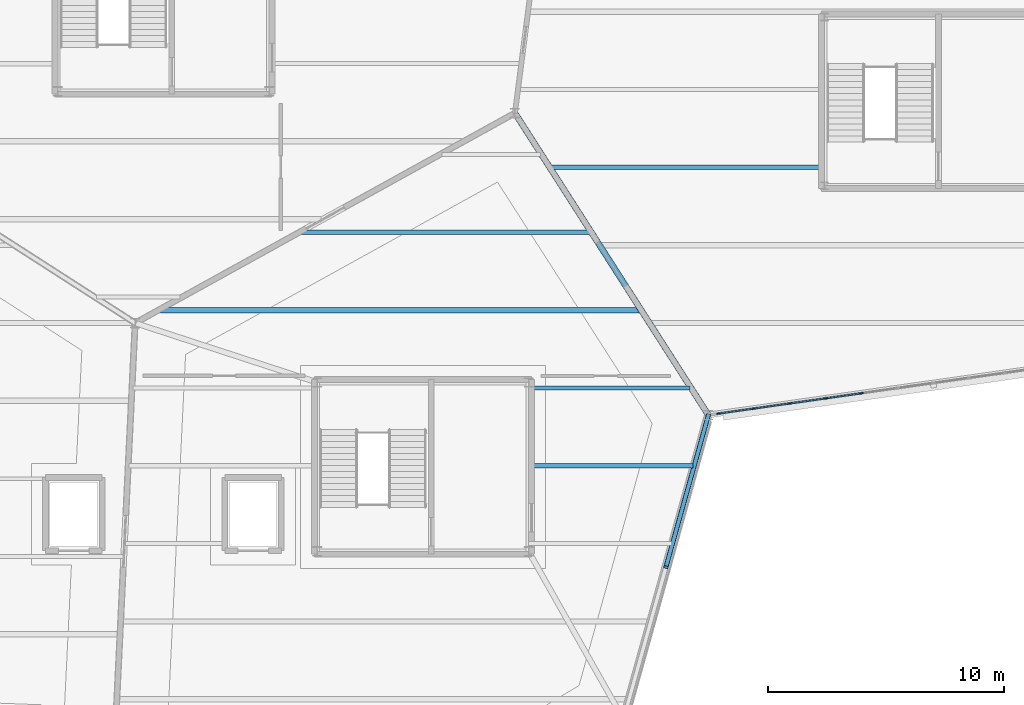
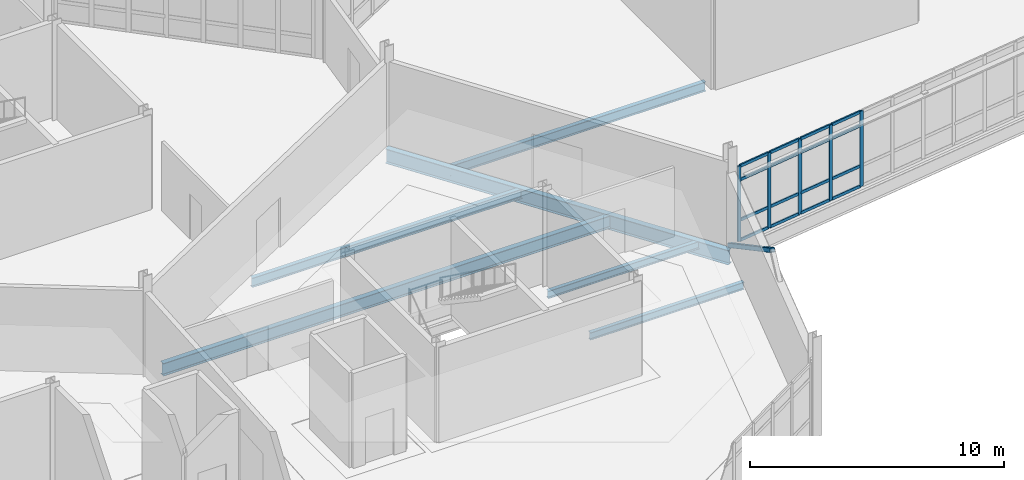
# One storey, part 76 of 134: 22 members, 6 beams, 1 element without a shape of its own.
"""IFC4 building model written with IfcOpenShell, lengths in metres."""

from ifc_helpers import new_model, si_unit, direction, frame, origin, origin_2d, place, context, subcontext, project, spatial, rectangle, hollow_rectangle, i_section, extrude, material, material_profile, profile_set, type_object, element, aggregate, save


model = new_model("IFC4")

# Units and contexts
model_context = context("Model", 3, precision=1e-05, world=origin(), true_north=direction((0.0, 1.0)))
body_context = subcontext(model_context, "Body", "Model", "MODEL_VIEW")
ifc_project = project(units=[si_unit("LENGTHUNIT", "METRE"), si_unit("AREAUNIT", "SQUARE_METRE"), si_unit("VOLUMEUNIT", "CUBIC_METRE"), si_unit("PLANEANGLEUNIT", "RADIAN"), si_unit("MASSUNIT", "GRAM", prefix="KILO")], contexts=[model_context])

# Site, building, storey
site_placement = place(None, origin())
site = spatial("IfcSite", under=ifc_project, at=site_placement, CompositionType="ELEMENT")
building_placement = place(site_placement, origin())
building = spatial("IfcBuilding", under=site, at=building_placement, Name="Tameran Prism Museum", CompositionType="ELEMENT")
storey_placement = place(building_placement, frame((0.0, 0.0, 5.39990234375)))
storey = spatial("IfcBuildingStorey", under=building, at=storey_placement, Name="L01", CompositionType="ELEMENT", Elevation=5.39990234375)

# Beams
ifc_material_1 = material(Name="Steel Grade 300PLUS (300 MPa)", Category="steel")
ifc_material_profile_1 = material_profile(ifc_material_1, i_section(OverallWidth=0.172119140625, OverallDepth=0.35888671875, WebThickness=0.008056640625, FlangeThickness=0.012939453125, FilletRadius=0.011474609375, at=origin_2d()))
ifc_profile_set_1 = profile_set([ifc_material_profile_1])
beam_type_1 = type_object("IfcBeamType", Name="BM-J360A", PredefinedType="JOIST", material=ifc_profile_set_1)
beam_1_placement = place(storey_placement, frame((135.47998046875, 86.35009765625, -0.37939453125), z_axis=(1.0, 0.0, 0.0), x_axis=(0.0, 1.0, 0.0)))
element("IfcBeam", 1, at=beam_1_placement, inside=storey, type_object=beam_type_1, Name="Floor Beam BM-0517", PredefinedType="JOIST", context=body_context, shape_type="SweptSolid", body=[
    extrude(i_section(OverallWidth=0.172119140625, OverallDepth=0.35888671875, WebThickness=0.008056640625, FlangeThickness=0.012939453125, FilletRadius=0.011474609375, at=origin_2d()), origin(), (0.0, 0.0, 1.0), 6.8359375),
])
ifc_material_2 = material(Name="Steel Grade 300PLUS (300 MPa)", Category="steel")
ifc_material_profile_2 = material_profile(ifc_material_2, i_section(OverallWidth=0.1708984375, OverallDepth=0.35595703125, WebThickness=0.00732421875, FlangeThickness=0.011474609375, FilletRadius=0.011474609375, at=origin_2d()))
ifc_profile_set_2 = profile_set([ifc_material_profile_2])
beam_type_2 = type_object("IfcBeamType", Name="BM-J360B", PredefinedType="JOIST", material=ifc_profile_set_2)
beam_2_placement = place(storey_placement, frame((135.47998046875, 83.050048828125, -0.3779296875), z_axis=(1.0, 0.0, 0.0), x_axis=(0.0, 1.0, 0.0)))
element("IfcBeam", 2, at=beam_2_placement, inside=storey, type_object=beam_type_2, Name="Floor Beam BM-0515", PredefinedType="JOIST", context=body_context, shape_type="SweptSolid", body=[
    extrude(i_section(OverallWidth=0.1708984375, OverallDepth=0.35595703125, WebThickness=0.00732421875, FlangeThickness=0.011474609375, FilletRadius=0.011474609375, at=origin_2d()), origin(), (0.0, 0.0, 1.0), 6.97802734375),
])
ifc_material_3 = material(Name="Steel Grade 300PLUS (300 MPa)", Category="steel")
ifc_material_profile_3 = material_profile(ifc_material_3, i_section(OverallWidth=0.18994140625, OverallDepth=0.4541015625, WebThickness=0.008544921875, FlangeThickness=0.0126953125, FilletRadius=0.011474609375, at=origin_2d()))
ifc_profile_set_3 = profile_set([ifc_material_profile_3])
beam_type_3 = type_object("IfcBeamType", Name="BM-J460B", PredefinedType="JOIST", material=ifc_profile_set_3)
beam_3_placement = place(storey_placement, frame((125.846923828125, 92.949951171875, -0.427001953125), z_axis=(1.0, 0.0, 0.0), x_axis=(0.0, 1.0, 0.0)))
element("IfcBeam", 3, at=beam_3_placement, inside=storey, type_object=beam_type_3, Name="Floor Beam BM-0519", PredefinedType="JOIST", context=body_context, shape_type="SweptSolid", body=[
    extrude(i_section(OverallWidth=0.18994140625, OverallDepth=0.4541015625, WebThickness=0.008544921875, FlangeThickness=0.0126953125, FilletRadius=0.011474609375, at=origin_2d()), origin(), (0.0, 0.0, 1.0), 12.240966796875),
])
beam_4_placement = place(storey_placement, frame((136.4208984375, 95.699951171875, -0.427001953125), z_axis=(1.0, 0.0, 0.0), x_axis=(0.0, 1.0, 0.0)))
element("IfcBeam", 4, at=beam_4_placement, inside=storey, type_object=beam_type_3, Name="Floor Beam BM-0532", PredefinedType="JOIST", context=body_context, shape_type="SweptSolid", body=[
    extrude(i_section(OverallWidth=0.18994140625, OverallDepth=0.4541015625, WebThickness=0.008544921875, FlangeThickness=0.0126953125, FilletRadius=0.011474609375, at=origin_2d()), origin(), (0.0, 0.0, 1.0), 11.59912109375),
])
ifc_material_4 = material(Name="Steel Grade 350 (350 MPa)", Category="steel")
ifc_material_profile_4 = material_profile(ifc_material_4, i_section(OverallWidth=0.25, OverallDepth=0.699951171875, WebThickness=0.010009765625, FlangeThickness=0.02001953125, at=origin_2d()))
ifc_profile_set_4 = profile_set([ifc_material_profile_4])
beam_type_4 = type_object("IfcBeamType", Name="BM-SP700", PredefinedType="SPANDREL", material=ifc_profile_set_4)
beam_5_placement = place(storey_placement, frame((143.10009765625, 85.199951171875, -0.5498046875), z_axis=(-0.539434641352, 0.842027474439, 0.0), x_axis=(-0.842027474439, -0.539434641352, 0.0)))
element("IfcBeam", 5, at=beam_5_placement, inside=storey, type_object=beam_type_4, Name="Perimeter Spandrel SP-0333", PredefinedType="SPANDREL", context=body_context, shape_type="SweptSolid", body=[
    extrude(i_section(OverallWidth=0.25, OverallDepth=0.699951171875, WebThickness=0.010009765625, FlangeThickness=0.02001953125, at=origin_2d()), origin(), (0.0, 0.0, 1.0), 15.201416015625),
])
ifc_material_5 = material(Name="Steel Grade 300PLUS (300 MPa)", Category="steel")
ifc_material_profile_5 = material_profile(ifc_material_5, i_section(OverallWidth=0.22802734375, OverallDepth=0.60693359375, WebThickness=0.01123046875, FlangeThickness=0.017333984375, FilletRadius=0.013916015625, at=origin_2d()))
ifc_profile_set_5 = profile_set([ifc_material_profile_5])
beam_type_5 = type_object("IfcBeamType", Name="BM-UB610B", PredefinedType="BEAM", material=ifc_profile_set_5)
beam_6_placement = place(storey_placement, frame((119.8779296875, 89.64990234375, -0.50341796875), z_axis=(1.0, 0.0, 0.0), x_axis=(0.0, 1.0, 0.0)))
element("IfcBeam", 6, at=beam_6_placement, inside=storey, type_object=beam_type_5, Name="Floor Beam BM-0518", PredefinedType="BEAM", context=body_context, shape_type="SweptSolid", body=[
    extrude(i_section(OverallWidth=0.22802734375, OverallDepth=0.60693359375, WebThickness=0.01123046875, FlangeThickness=0.017333984375, FilletRadius=0.013916015625, at=origin_2d()), origin(), (0.0, 0.0, 1.0), 20.323974609375),
])

# Curtain wall, members
ifc_material_6 = material(Name="Anodised Aluminium 6063-T6 and Cyclone Solar Glass", Category="aluminium")
curtain_wall_type = type_object("IfcCurtainWallType", Name="CW-FAC-1843x362", PredefinedType="USERDEFINED", material=ifc_material_6)
curtain_wall_placement = place(storey_placement, origin())
curtain_wall = element("IfcCurtainWall", 7, at=curtain_wall_placement, inside=storey, type_object=curtain_wall_type, Name="Unitised Curtain Wall CW-059", ObjectType="UNITISED CURTAIN WALL", PredefinedType="USERDEFINED")
ifc_material_7 = material(Name="Anodised Aluminium Alloy 6063-T6", Category="aluminium")
ifc_material_profile_6 = material_profile(ifc_material_7, rectangle(XDim=0.06494140625, YDim=0.159912109375, at=origin_2d()))
ifc_profile_set_6 = profile_set([ifc_material_profile_6])
member_type_1 = type_object("IfcMemberType", Name="CW-MUL-A", PredefinedType="MULLION", material=ifc_profile_set_6)
member_1_placement = place(storey_placement, frame((149.58837890625, 86.12158203125, 0.0), z_axis=(0.0, 0.0, 1.0), x_axis=(0.1407452685, -0.990045842067, 0.0)))
member_1 = element("IfcMember", 8, at=member_1_placement, type_object=member_type_1, Name="CW-059 mullion 9", PredefinedType="MULLION", context=body_context, shape_type="SweptSolid", body=[
    extrude(rectangle(XDim=0.06494140625, YDim=0.159912109375, at=origin_2d()), origin(), (0.0, 0.0, 1.0), 3.6201171875),
])
member_2_placement = place(storey_placement, frame((148.06787109375, 85.905517578125, 0.0), z_axis=(0.0, 0.0, 1.0), x_axis=(0.1407452685, -0.990045842067, 0.0)))
member_2 = element("IfcMember", 9, at=member_2_placement, type_object=member_type_1, Name="CW-059 mullion 10", PredefinedType="MULLION", context=body_context, shape_type="SweptSolid", body=[
    extrude(rectangle(XDim=0.06494140625, YDim=0.159912109375, at=origin_2d()), origin(), (0.0, 0.0, 1.0), 3.6201171875),
])
member_3_placement = place(storey_placement, frame((146.547119140625, 85.689453125, 0.0), z_axis=(0.0, 0.0, 1.0), x_axis=(0.1407452685, -0.990045842067, 0.0)))
member_3 = element("IfcMember", 10, at=member_3_placement, type_object=member_type_1, Name="CW-059 mullion 11", PredefinedType="MULLION", context=body_context, shape_type="SweptSolid", body=[
    extrude(rectangle(XDim=0.06494140625, YDim=0.159912109375, at=origin_2d()), origin(), (0.0, 0.0, 1.0), 3.6201171875),
])
member_4_placement = place(storey_placement, frame((145.026611328125, 85.47314453125, 0.0), z_axis=(0.0, 0.0, 1.0), x_axis=(0.1407452685, -0.990045842067, 0.0)))
member_4 = element("IfcMember", 11, at=member_4_placement, type_object=member_type_1, Name="CW-059 mullion 12", PredefinedType="MULLION", context=body_context, shape_type="SweptSolid", body=[
    extrude(rectangle(XDim=0.06494140625, YDim=0.159912109375, at=origin_2d()), origin(), (0.0, 0.0, 1.0), 3.6201171875),
])
member_5_placement = place(storey_placement, frame((143.5380859375, 85.261474609375, 0.0), z_axis=(0.0, 0.0, 1.0), x_axis=(0.1407452685, -0.990045842067, 0.0)))
member_5 = element("IfcMember", 12, at=member_5_placement, type_object=member_type_1, Name="CW-059 mullion 13", PredefinedType="MULLION", context=body_context, shape_type="SweptSolid", body=[
    extrude(rectangle(XDim=0.06494140625, YDim=0.159912109375, at=origin_2d()), origin(), (0.0, 0.0, 1.0), 3.6201171875),
])
ifc_material_8 = material(Name="Anodised Aluminium Alloy 6063-T6", Category="aluminium")
ifc_material_profile_7 = material_profile(ifc_material_8, rectangle(XDim=0.06494140625, YDim=0.139892578125, at=origin_2d()))
ifc_profile_set_7 = profile_set([ifc_material_profile_7])
member_type_2 = type_object("IfcMemberType", Name="CW-TRN-A", PredefinedType="USERDEFINED", material=ifc_profile_set_7)
member_6_placement = place(storey_placement, frame((149.55615234375, 86.1171875, 0.03271484375), z_axis=(-0.990045530264, -0.140747461804, 0.0), x_axis=(0.140747461804, -0.990045530264, 0.0)))
member_6 = element("IfcMember", 13, at=member_6_placement, type_object=member_type_2, Name="CW-059 transom 9.1", ObjectType="TRANSOM", PredefinedType="USERDEFINED", context=body_context, shape_type="SweptSolid", body=[
    extrude(rectangle(XDim=0.06494140625, YDim=0.139892578125, at=origin_2d()), origin(), (0.0, 0.0, 1.0), 1.470947265625),
])
member_7_placement = place(storey_placement, frame((149.55615234375, 86.1171875, 1.0), z_axis=(-0.990045530264, -0.140747461804, 0.0), x_axis=(0.140747461804, -0.990045530264, 0.0)))
member_7 = element("IfcMember", 14, at=member_7_placement, type_object=member_type_2, Name="CW-059 transom 9.2", ObjectType="TRANSOM", PredefinedType="USERDEFINED", context=body_context, shape_type="SweptSolid", body=[
    extrude(rectangle(XDim=0.06494140625, YDim=0.139892578125, at=origin_2d()), origin(), (0.0, 0.0, 1.0), 1.470947265625),
])
member_8_placement = place(storey_placement, frame((149.55615234375, 86.1171875, 2.940185546875), z_axis=(-0.990045530264, -0.140747461804, 0.0), x_axis=(0.140747461804, -0.990045530264, 0.0)))
member_8 = element("IfcMember", 15, at=member_8_placement, type_object=member_type_2, Name="CW-059 transom 9.3", ObjectType="TRANSOM", PredefinedType="USERDEFINED", context=body_context, shape_type="SweptSolid", body=[
    extrude(rectangle(XDim=0.06494140625, YDim=0.139892578125, at=origin_2d()), origin(), (0.0, 0.0, 1.0), 1.470947265625),
])
member_9_placement = place(storey_placement, frame((149.55615234375, 86.1171875, 3.587646484375), z_axis=(-0.990045530264, -0.140747461804, 0.0), x_axis=(0.140747461804, -0.990045530264, 0.0)))
member_9 = element("IfcMember", 16, at=member_9_placement, type_object=member_type_2, Name="CW-059 transom 9.4", ObjectType="TRANSOM", PredefinedType="USERDEFINED", context=body_context, shape_type="SweptSolid", body=[
    extrude(rectangle(XDim=0.06494140625, YDim=0.139892578125, at=origin_2d()), origin(), (0.0, 0.0, 1.0), 1.470947265625),
])
member_10_placement = place(storey_placement, frame((148.03564453125, 85.90087890625, 0.03271484375), z_axis=(-0.990045530264, -0.140747461804, 0.0), x_axis=(0.140747461804, -0.990045530264, 0.0)))
member_10 = element("IfcMember", 17, at=member_10_placement, type_object=member_type_2, Name="CW-059 transom 10.1", ObjectType="TRANSOM", PredefinedType="USERDEFINED", context=body_context, shape_type="SweptSolid", body=[
    extrude(rectangle(XDim=0.06494140625, YDim=0.139892578125, at=origin_2d()), origin(), (0.0, 0.0, 1.0), 1.470947265625),
])
member_11_placement = place(storey_placement, frame((148.03564453125, 85.90087890625, 1.0), z_axis=(-0.990045530264, -0.140747461804, 0.0), x_axis=(0.140747461804, -0.990045530264, 0.0)))
member_11 = element("IfcMember", 18, at=member_11_placement, type_object=member_type_2, Name="CW-059 transom 10.2", ObjectType="TRANSOM", PredefinedType="USERDEFINED", context=body_context, shape_type="SweptSolid", body=[
    extrude(rectangle(XDim=0.06494140625, YDim=0.139892578125, at=origin_2d()), origin(), (0.0, 0.0, 1.0), 1.470947265625),
])
member_12_placement = place(storey_placement, frame((148.03564453125, 85.90087890625, 2.940185546875), z_axis=(-0.990045530264, -0.140747461804, 0.0), x_axis=(0.140747461804, -0.990045530264, 0.0)))
member_12 = element("IfcMember", 19, at=member_12_placement, type_object=member_type_2, Name="CW-059 transom 10.3", ObjectType="TRANSOM", PredefinedType="USERDEFINED", context=body_context, shape_type="SweptSolid", body=[
    extrude(rectangle(XDim=0.06494140625, YDim=0.139892578125, at=origin_2d()), origin(), (0.0, 0.0, 1.0), 1.470947265625),
])
member_13_placement = place(storey_placement, frame((148.03564453125, 85.90087890625, 3.587646484375), z_axis=(-0.990045530264, -0.140747461804, 0.0), x_axis=(0.140747461804, -0.990045530264, 0.0)))
member_13 = element("IfcMember", 20, at=member_13_placement, type_object=member_type_2, Name="CW-059 transom 10.4", ObjectType="TRANSOM", PredefinedType="USERDEFINED", context=body_context, shape_type="SweptSolid", body=[
    extrude(rectangle(XDim=0.06494140625, YDim=0.139892578125, at=origin_2d()), origin(), (0.0, 0.0, 1.0), 1.470947265625),
])
member_14_placement = place(storey_placement, frame((146.514892578125, 85.684814453125, 0.03271484375), z_axis=(-0.990042241498, -0.140770593694, 0.0), x_axis=(0.140770593694, -0.990042241498, 0.0)))
member_14 = element("IfcMember", 21, at=member_14_placement, type_object=member_type_2, Name="CW-059 transom 11.1", ObjectType="TRANSOM", PredefinedType="USERDEFINED", context=body_context, shape_type="SweptSolid", body=[
    extrude(rectangle(XDim=0.06494140625, YDim=0.139892578125, at=origin_2d()), origin(), (0.0, 0.0, 1.0), 1.470703125),
])
member_15_placement = place(storey_placement, frame((146.514892578125, 85.684814453125, 1.0), z_axis=(-0.990042241498, -0.140770593694, 0.0), x_axis=(0.140770593694, -0.990042241498, 0.0)))
member_15 = element("IfcMember", 22, at=member_15_placement, type_object=member_type_2, Name="CW-059 transom 11.2", ObjectType="TRANSOM", PredefinedType="USERDEFINED", context=body_context, shape_type="SweptSolid", body=[
    extrude(rectangle(XDim=0.06494140625, YDim=0.139892578125, at=origin_2d()), origin(), (0.0, 0.0, 1.0), 1.470703125),
])
member_16_placement = place(storey_placement, frame((146.514892578125, 85.684814453125, 2.940185546875), z_axis=(-0.990042241498, -0.140770593694, 0.0), x_axis=(0.140770593694, -0.990042241498, 0.0)))
member_16 = element("IfcMember", 23, at=member_16_placement, type_object=member_type_2, Name="CW-059 transom 11.3", ObjectType="TRANSOM", PredefinedType="USERDEFINED", context=body_context, shape_type="SweptSolid", body=[
    extrude(rectangle(XDim=0.06494140625, YDim=0.139892578125, at=origin_2d()), origin(), (0.0, 0.0, 1.0), 1.470703125),
])
member_17_placement = place(storey_placement, frame((146.514892578125, 85.684814453125, 3.587646484375), z_axis=(-0.990042241498, -0.140770593694, 0.0), x_axis=(0.140770593694, -0.990042241498, 0.0)))
member_17 = element("IfcMember", 24, at=member_17_placement, type_object=member_type_2, Name="CW-059 transom 11.4", ObjectType="TRANSOM", PredefinedType="USERDEFINED", context=body_context, shape_type="SweptSolid", body=[
    extrude(rectangle(XDim=0.06494140625, YDim=0.139892578125, at=origin_2d()), origin(), (0.0, 0.0, 1.0), 1.470703125),
])
member_18_placement = place(storey_placement, frame((144.994384765625, 85.468505859375, 0.03271484375), z_axis=(-0.990051076629, -0.140708442058, 0.0), x_axis=(0.140708442058, -0.990051076629, 0.0)))
member_18 = element("IfcMember", 25, at=member_18_placement, type_object=member_type_2, Name="CW-059 transom 12.1", ObjectType="TRANSOM", PredefinedType="USERDEFINED", context=body_context, shape_type="SweptSolid", body=[
    extrude(rectangle(XDim=0.06494140625, YDim=0.139892578125, at=origin_2d()), origin(), (0.0, 0.0, 1.0), 1.4384765625),
])
member_19_placement = place(storey_placement, frame((144.994384765625, 85.468505859375, 1.0), z_axis=(-0.990051076629, -0.140708442058, 0.0), x_axis=(0.140708442058, -0.990051076629, 0.0)))
member_19 = element("IfcMember", 26, at=member_19_placement, type_object=member_type_2, Name="CW-059 transom 12.2", ObjectType="TRANSOM", PredefinedType="USERDEFINED", context=body_context, shape_type="SweptSolid", body=[
    extrude(rectangle(XDim=0.06494140625, YDim=0.139892578125, at=origin_2d()), origin(), (0.0, 0.0, 1.0), 1.4384765625),
])
member_20_placement = place(storey_placement, frame((144.994384765625, 85.468505859375, 2.940185546875), z_axis=(-0.990051076629, -0.140708442058, 0.0), x_axis=(0.140708442058, -0.990051076629, 0.0)))
member_20 = element("IfcMember", 27, at=member_20_placement, type_object=member_type_2, Name="CW-059 transom 12.3", ObjectType="TRANSOM", PredefinedType="USERDEFINED", context=body_context, shape_type="SweptSolid", body=[
    extrude(rectangle(XDim=0.06494140625, YDim=0.139892578125, at=origin_2d()), origin(), (0.0, 0.0, 1.0), 1.4384765625),
])
member_21_placement = place(storey_placement, frame((144.994384765625, 85.468505859375, 3.587646484375), z_axis=(-0.990051076629, -0.140708442058, 0.0), x_axis=(0.140708442058, -0.990051076629, 0.0)))
member_21 = element("IfcMember", 28, at=member_21_placement, type_object=member_type_2, Name="CW-059 transom 12.4", ObjectType="TRANSOM", PredefinedType="USERDEFINED", context=body_context, shape_type="SweptSolid", body=[
    extrude(rectangle(XDim=0.06494140625, YDim=0.139892578125, at=origin_2d()), origin(), (0.0, 0.0, 1.0), 1.4384765625),
])
aggregate(curtain_wall, [member_1, member_2, member_3, member_4, member_5, member_6, member_7, member_8, member_9, member_10, member_11, member_12, member_13, member_14, member_15, member_16, member_17, member_18, member_19, member_20, member_21])

# Member
ifc_material_9 = material(Name="Steel Grade C350L0 (350 MPa)", Category="steel")
ifc_material_profile_8 = material_profile(ifc_material_9, hollow_rectangle(XDim=0.199951171875, YDim=0.199951171875, WallThickness=0.009033203125, InnerFilletRadius=0.013427734375, OuterFilletRadius=0.0224609375, at=origin_2d()))
ifc_profile_set_8 = profile_set([ifc_material_profile_8])
member_type_3 = type_object("IfcMemberType", Name="MM-BR-SHS200", PredefinedType="BRACE", material=ifc_profile_set_8)
member_22_placement = place(storey_placement, frame((143.10009765625, 85.199951171875, 0.0), z_axis=(-0.226188795144, -0.810481727779, 0.540331377848), x_axis=(0.96319388659, -0.268807620494, 0.0)))
element("IfcMember", 29, at=member_22_placement, inside=storey, type_object=member_type_3, Name="Lateral Chevron Brace CBF-026", PredefinedType="BRACE", context=body_context, shape_type="SweptSolid", body=[
    extrude(hollow_rectangle(XDim=0.199951171875, YDim=0.199951171875, WallThickness=0.009033203125, InnerFilletRadius=0.013427734375, OuterFilletRadius=0.0224609375, at=origin_2d()), origin(), (0.0, 0.0, 1.0), 7.958251953125),
])

save(model, "model.ifc")
